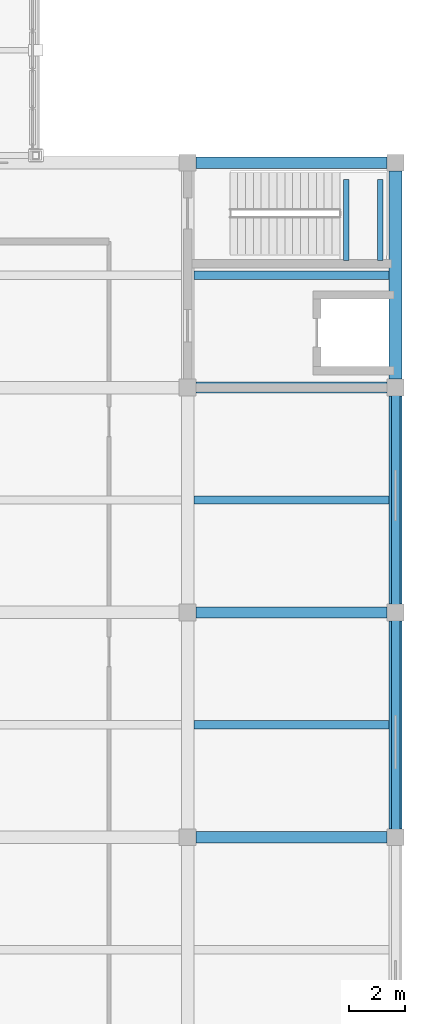
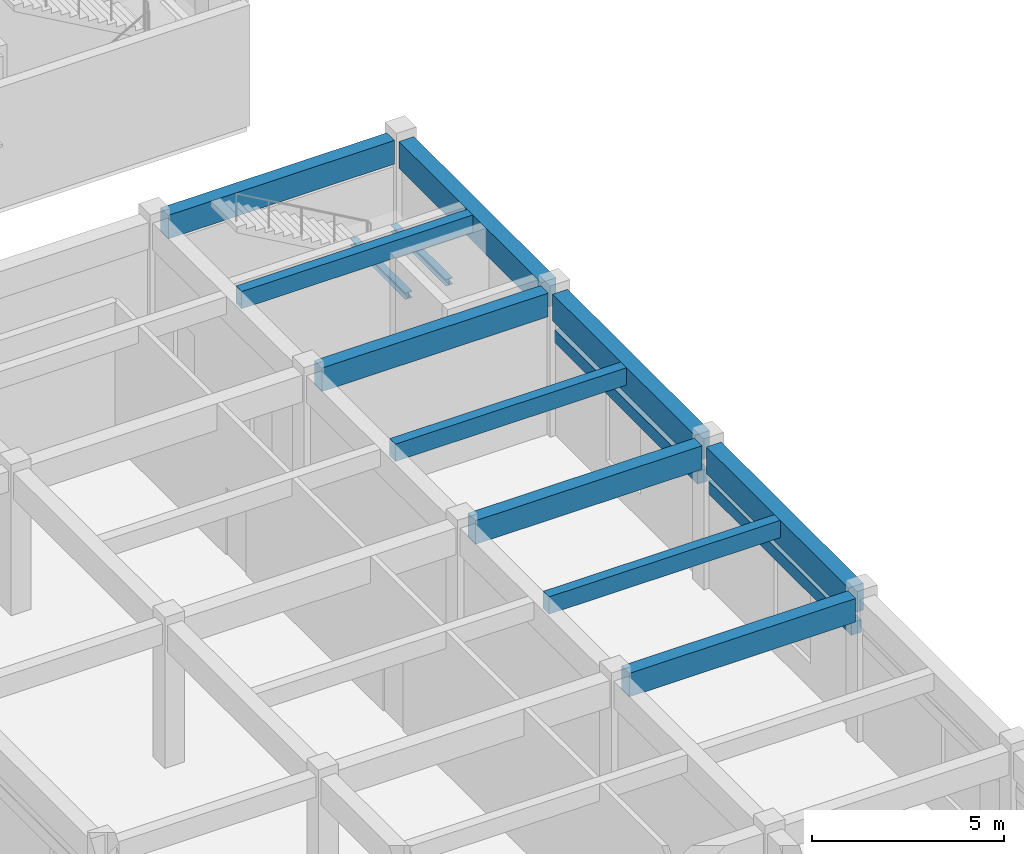
# One storey, part 24 of 64: 14 beams.
"""IFC4 building model written with IfcOpenShell, lengths in metres."""

from ifc_helpers import new_model, si_unit, direction, frame, origin, origin_2d, place, context, subcontext, project, spatial, rectangle, i_section, extrude, material, material_profile, profile_set, type_object, element, save


model = new_model("IFC4")

# Units and contexts
model_context = context("Model", 3, precision=1e-05, world=origin(), true_north=direction((0.0, 1.0)))
body_context = subcontext(model_context, "Body", "Model", "MODEL_VIEW")
ifc_project = project(units=[si_unit("LENGTHUNIT", "METRE"), si_unit("AREAUNIT", "SQUARE_METRE"), si_unit("VOLUMEUNIT", "CUBIC_METRE"), si_unit("PLANEANGLEUNIT", "RADIAN"), si_unit("MASSUNIT", "GRAM", prefix="KILO")], contexts=[model_context])

# Site, building, storey
site_placement = place(None, origin())
site = spatial("IfcSite", under=ifc_project, at=site_placement, CompositionType="ELEMENT")
building_placement = place(site_placement, origin())
building = spatial("IfcBuilding", under=site, at=building_placement, Name="Cinchona Park Media Centre", CompositionType="ELEMENT")
storey_placement = place(building_placement, frame((0.0, 0.0, 5.39990234375)))
storey = spatial("IfcBuildingStorey", under=building, at=storey_placement, Name="L01", CompositionType="ELEMENT", Elevation=5.39990234375)

# Beams
ifc_material_1 = material(Name="Concrete C35/45", Category="concrete")
ifc_material_profile_1 = material_profile(ifc_material_1, rectangle(XDim=0.39990234375, YDim=0.75, at=origin_2d()), Name="RB 400X750")
ifc_profile_set_1 = profile_set([ifc_material_profile_1], Name="Concrete C35/45")
beam_type_1 = type_object("IfcBeamType", Name="BEAM-B01-RB400X750", PredefinedType="BEAM", material=ifc_profile_set_1)
for number, where, z_axis, x_axis, name in (
    (1, (164.89990234375, 39.60009765625, 4.14501953125), (1.0, 0.0, 0.0), (0.0, 1.0, 0.0), "Beam B01 L01"),
    (2, (164.89990234375, 47.60009765625, 4.14501953125), (1.0, 0.0, 0.0), (0.0, 1.0, 0.0), "Beam B01 L01"),
    (3, (164.89990234375, 55.60009765625, 4.14501953125), (1.0, 0.0, 0.0), (0.0, 1.0, 0.0), "Beam B01 L01"),
    (4, (164.89990234375, 63.60009765625, 4.14501953125), (1.0, 0.0, 0.0), (0.0, 1.0, 0.0), "Beam B01 L01"),
):
    element("IfcBeam", number, at=place(storey_placement, frame(where, z_axis=z_axis, x_axis=x_axis)), inside=storey, type_object=beam_type_1, Name=name, PredefinedType="BEAM", context=body_context, shape_type="SweptSolid", body=[
        extrude(rectangle(XDim=0.39990234375, YDim=0.75, at=origin_2d()), origin(), (0.0, 0.0, 1.0), 6.800048828125),
    ])
ifc_material_2 = material(Name="Concrete C35/45", Category="concrete")
ifc_material_profile_2 = material_profile(ifc_material_2, rectangle(XDim=0.449951171875, YDim=0.85009765625, at=origin_2d()), Name="RB 450X850")
ifc_profile_set_2 = profile_set([ifc_material_profile_2], Name="Concrete C35/45")
beam_type_2 = type_object("IfcBeamType", Name="BEAM-B02-RB450X850", PredefinedType="BEAM", material=ifc_profile_set_2)
for number, where, z_axis, x_axis, name in (
    (5, (172.0, 39.89990234375, 4.09521484375), (0.0, 1.0, 0.0), (-1.0, 0.0, 0.0), "Girder B02 L01"),
    (6, (172.0, 47.89990234375, 4.09521484375), (0.0, 1.0, 0.0), (-1.0, 0.0, 0.0), "Girder B02 L01"),
    (7, (172.0, 55.89990234375, 4.09521484375), (0.0, 1.0, 0.0), (-1.0, 0.0, 0.0), "Girder B02 L01"),
):
    element("IfcBeam", number, at=place(storey_placement, frame(where, z_axis=z_axis, x_axis=x_axis)), inside=storey, type_object=beam_type_2, Name=name, PredefinedType="BEAM", context=body_context, shape_type="SweptSolid", body=[
        extrude(rectangle(XDim=0.449951171875, YDim=0.85009765625, at=origin_2d()), origin(), (0.0, 0.0, 1.0), 7.400146484375),
    ])
ifc_material_3 = material(Name="Steel S355", Category="steel")
ifc_material_profile_3 = material_profile(ifc_material_3, i_section(OverallWidth=0.202880859375, OverallDepth=0.202880859375, WebThickness=0.007080078125, FlangeThickness=0.010986328125, at=origin_2d()), Name="W200X46")
ifc_profile_set_3 = profile_set([ifc_material_profile_3], Name="Steel S355")
beam_type_3 = type_object("IfcBeamType", Name="BEAM-B10-W200X46", PredefinedType="BEAM", material=ifc_profile_set_3)
for number, where, z_axis, x_axis, name in (
    (8, (170.239990234375, 60.1298828125, 2.093505859375), (0.0, 1.0, 0.0), (-1.0, 0.0, 0.0), "Stair Landing Bearer Beam B10 ST7 L01"),
    (9, (171.4599609375, 60.1298828125, 2.093505859375), (0.0, 1.0, 0.0), (-1.0, 0.0, 0.0), "Stair Landing Bearer Beam B10 ST7 L01"),
):
    element("IfcBeam", number, at=place(storey_placement, frame(where, z_axis=z_axis, x_axis=x_axis)), inside=storey, type_object=beam_type_3, Name=name, PredefinedType="BEAM", context=body_context, shape_type="SweptSolid", body=[
        extrude(i_section(OverallWidth=0.202880859375, OverallDepth=0.202880859375, WebThickness=0.007080078125, FlangeThickness=0.010986328125, at=origin_2d()), origin(), (0.0, 0.0, 1.0), 2.8701171875),
    ])
ifc_material_4 = material(Name="Concrete C35/45", Category="concrete")
ifc_material_profile_4 = material_profile(ifc_material_4, rectangle(XDim=0.300048828125, YDim=0.550048828125, at=origin_2d()), Name="RB 300X550")
ifc_profile_set_4 = profile_set([ifc_material_profile_4], Name="Concrete C35/45")
beam_type_4 = type_object("IfcBeamType", Name="BEAM-J01-RB300X550", PredefinedType="JOIST", material=ifc_profile_set_4)
for number, where, z_axis, x_axis, name in (
    (10, (164.824951171875, 43.60009765625, 4.2451171875), (1.0, 0.0, 0.0), (0.0, 1.0, 0.0), "Floor Joist J01 L01"),
    (11, (164.824951171875, 51.60009765625, 4.2451171875), (1.0, 0.0, 0.0), (0.0, 1.0, 0.0), "Floor Joist J01 L01"),
    (12, (164.824951171875, 59.60009765625, 4.2451171875), (1.0, 0.0, 0.0), (0.0, 1.0, 0.0), "Floor Joist J01 L01"),
):
    element("IfcBeam", number, at=place(storey_placement, frame(where, z_axis=z_axis, x_axis=x_axis)), inside=storey, type_object=beam_type_4, Name=name, PredefinedType="JOIST", context=body_context, shape_type="SweptSolid", body=[
        extrude(rectangle(XDim=0.300048828125, YDim=0.550048828125, at=origin_2d()), origin(), (0.0, 0.0, 1.0), 6.949951171875),
    ])
ifc_material_5 = material(Name="Concrete C35/45", Category="concrete")
ifc_material_profile_5 = material_profile(ifc_material_5, rectangle(XDim=0.300048828125, YDim=0.39990234375, at=origin_2d()), Name="RL 300X400")
ifc_profile_set_5 = profile_set([ifc_material_profile_5], Name="Concrete C35/45")
beam_type_5 = type_object("IfcBeamType", Name="BEAM-LN02-RL300X400", PredefinedType="LINTEL", material=ifc_profile_set_5)
for number, where, z_axis, x_axis, name in (
    (13, (172.0, 55.320068359375, 3.150146484375), (0.0, -1.0, 0.0), (1.0, 0.0, 0.0), "Window Lintel LN02"),
    (14, (172.0, 47.320068359375, 3.2001953125), (0.0, -1.0, 0.0), (1.0, 0.0, 0.0), "Window Lintel LN02"),
):
    element("IfcBeam", number, at=place(storey_placement, frame(where, z_axis=z_axis, x_axis=x_axis)), inside=storey, type_object=beam_type_5, Name=name, PredefinedType="LINTEL", context=body_context, shape_type="SweptSolid", body=[
        extrude(rectangle(XDim=0.300048828125, YDim=0.39990234375, at=origin_2d()), origin(), (0.0, 0.0, 1.0), 7.440185546875),
    ])

save(model, "model.ifc")
